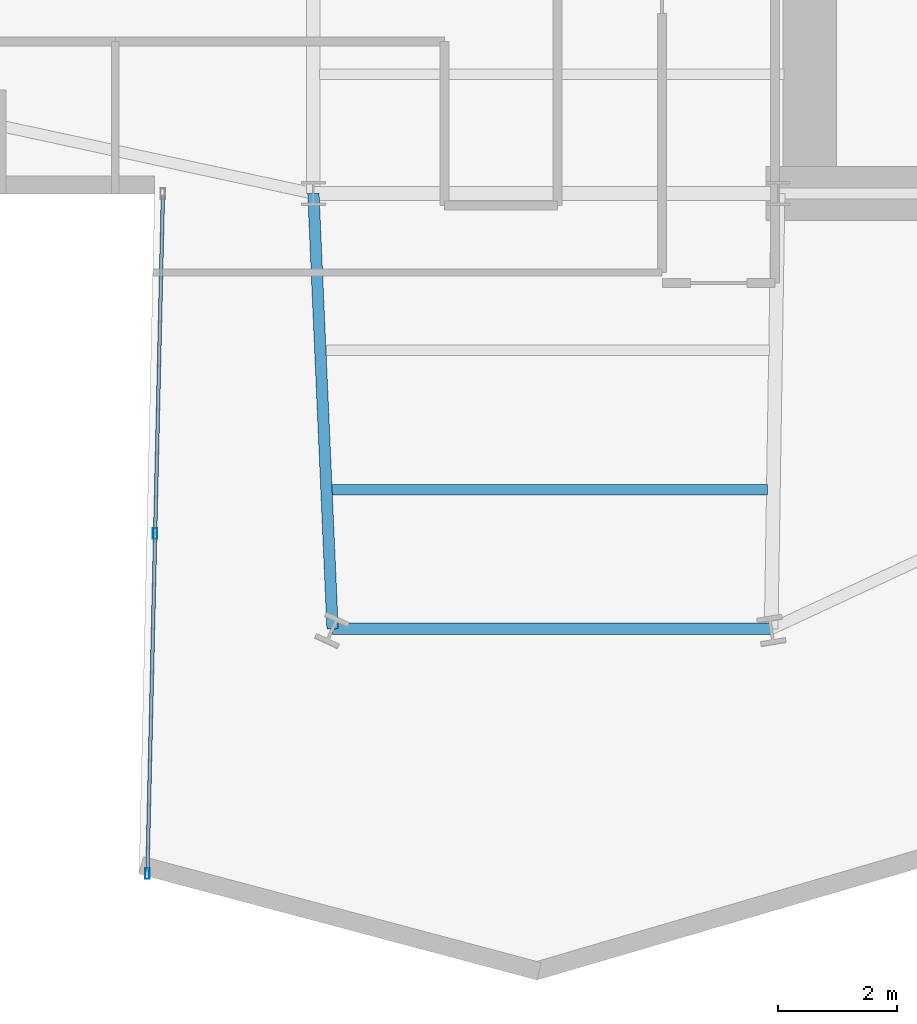
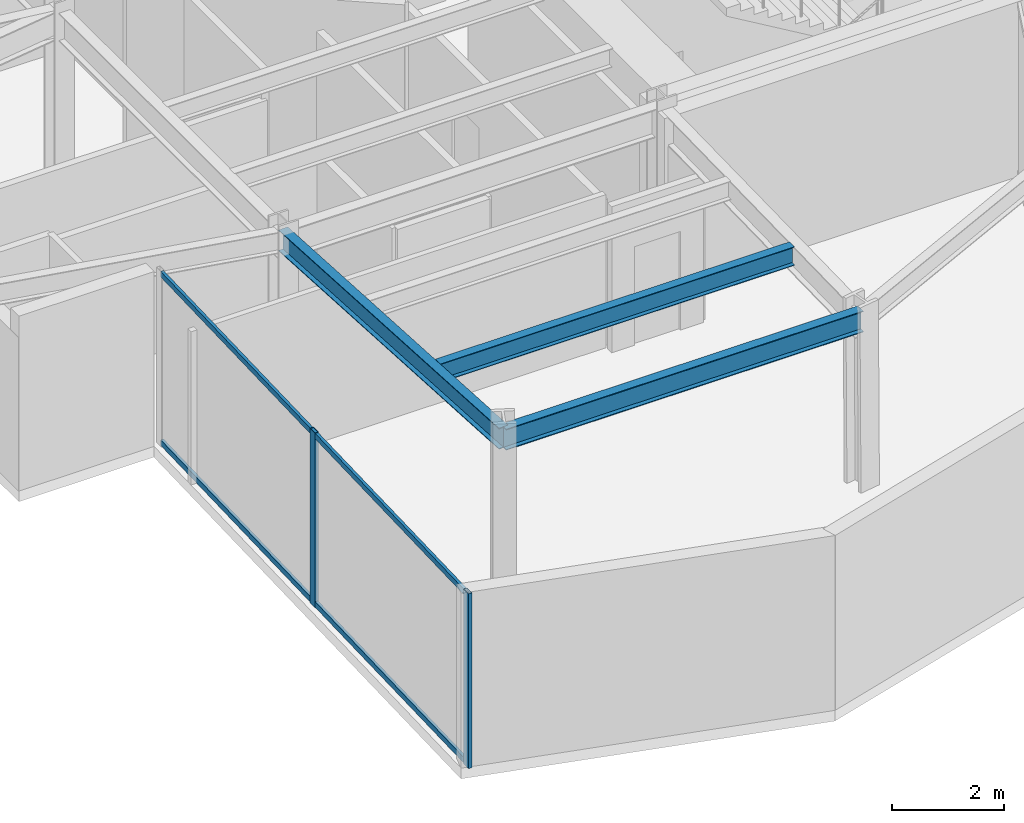
# One storey, part 4 of 27: 4 members, 3 beams, 1 element without a shape of its own.
"""IFC4 building model written with IfcOpenShell, lengths in metres."""

from ifc_helpers import new_model, si_unit, direction, frame, origin, origin_2d, place, context, subcontext, project, spatial, hollow_rectangle, i_section, extrude, material, layer, layer_set, material_profile, profile_set, type_object, element, aggregate, save


model = new_model("IFC4")

# Units and contexts
model_context = context("Model", 3, precision=1e-05, world=origin(), true_north=direction((0.0, 1.0)))
body_context = subcontext(model_context, "Body", "Model", "MODEL_VIEW")
ifc_project = project(units=[si_unit("LENGTHUNIT", "METRE"), si_unit("AREAUNIT", "SQUARE_METRE"), si_unit("VOLUMEUNIT", "CUBIC_METRE"), si_unit("PLANEANGLEUNIT", "RADIAN"), si_unit("MASSUNIT", "GRAM", prefix="KILO")], contexts=[model_context])

# Site, building, storey
site_placement = place(None, origin())
site = spatial("IfcSite", under=ifc_project, at=site_placement, CompositionType="ELEMENT")
building_placement = place(site_placement, origin())
building = spatial("IfcBuilding", under=site, at=building_placement, Name="Veymaron Broadcast Tower", CompositionType="ELEMENT")
storey_placement = place(building_placement, frame((0.0, 0.0, 86.39990234375)))
storey = spatial("IfcBuildingStorey", under=building, at=storey_placement, Name="L19", CompositionType="ELEMENT", Elevation=86.39990234375)

# Beams
ifc_material_1 = material(Name="Structural steel ASTM A992 Gr 50", Category="steel")
ifc_material_profile_1 = material_profile(ifc_material_1, i_section(OverallWidth=0.177978515625, OverallDepth=0.406982421875, WebThickness=0.0078125, FlangeThickness=0.0126953125, at=origin_2d()), Name="W410X60")
ifc_profile_set_1 = profile_set([ifc_material_profile_1], Name="Structural steel ASTM A992 Gr 50")
beam_type_1 = type_object("IfcBeamType", Name="BM-JS1", PredefinedType="JOIST", material=ifc_profile_set_1)
beam_1_placement = place(storey_placement, frame((31.51904296875, 11.029296875, 3.606689453125), z_axis=(1.0, 0.0, 0.0), x_axis=(0.0, 1.0, 0.0)))
element("IfcBeam", 1, at=beam_1_placement, inside=storey, type_object=beam_type_1, Name="L19 Arm-C secondary joist 2", PredefinedType="JOIST", context=body_context, shape_type="SweptSolid", body=[
    extrude(i_section(OverallWidth=0.177978515625, OverallDepth=0.406982421875, WebThickness=0.0078125, FlangeThickness=0.0126953125, at=origin_2d()), origin(), (0.0, 0.0, 1.0), 7.302734375),
])
ifc_material_profile_2 = material_profile(ifc_material_1, i_section(OverallWidth=0.19091796875, OverallDepth=0.4599609375, WebThickness=0.010009765625, FlangeThickness=0.01611328125, at=origin_2d()), Name="W460X82")
ifc_profile_set_2 = profile_set([ifc_material_profile_2], Name="Structural steel ASTM A992 Gr 50")
beam_type_2 = type_object("IfcBeamType", Name="BM-SP1", PredefinedType="SPANDREL", material=ifc_profile_set_2)
beam_2_placement = place(storey_placement, frame((31.199951171875, 16.0, 3.580078125), z_axis=(0.044009152951, -0.999031127872, 0.0), x_axis=(0.999031127872, 0.044009152951, 0.0)))
element("IfcBeam", 2, at=beam_2_placement, inside=storey, type_object=beam_type_2, Name="L19 primary structural floor girder", PredefinedType="SPANDREL", context=body_context, shape_type="SweptSolid", body=[
    extrude(i_section(OverallWidth=0.19091796875, OverallDepth=0.4599609375, WebThickness=0.010009765625, FlangeThickness=0.01611328125, at=origin_2d()), origin(), (0.0, 0.0, 1.0), 7.317138671875),
])
beam_3_placement = place(storey_placement, frame((31.52197265625, 8.68994140625, 3.580078125), z_axis=(1.0, 0.0, 0.0), x_axis=(0.0, 1.0, 0.0)))
element("IfcBeam", 3, at=beam_3_placement, inside=storey, type_object=beam_type_2, Name="L19 primary structural floor girder", PredefinedType="SPANDREL", context=body_context, shape_type="SweptSolid", body=[
    extrude(i_section(OverallWidth=0.19091796875, OverallDepth=0.4599609375, WebThickness=0.010009765625, FlangeThickness=0.01611328125, at=origin_2d()), origin(), (0.0, 0.0, 1.0), 7.363037109375),
])

# Curtain wall, members
ifc_material_2 = material(Name="Anodised aluminium AA 6063-T6 and laminated low-E dark glass", Category="aluminium")
ifc_layer = layer(ifc_material_2, 0.179931640625)
ifc_layer_set = layer_set([ifc_layer], Name="Anodised aluminium AA 6063-T6 and laminated low-E dark glass")
curtain_wall_type = type_object("IfcCurtainWallType", Name="CW-SYS-02", PredefinedType="NOTDEFINED", material=ifc_layer_set)
curtain_wall_placement = place(storey_placement, origin())
curtain_wall = element("IfcCurtainWall", 4, at=curtain_wall_placement, inside=storey, type_object=curtain_wall_type, Name="L19 dark-glass curtain wall CW-L19-E17-1", PredefinedType="NOTDEFINED")
ifc_material_3 = material(Name="Anodised aluminium AA 6063-T6", Category="aluminium")
ifc_material_profile_3 = material_profile(ifc_material_3, hollow_rectangle(XDim=0.074951171875, YDim=0.179931640625, WallThickness=0.0048828125, at=origin_2d()), Name="AL180X75X5")
ifc_profile_set_3 = profile_set([ifc_material_profile_3], Name="Anodised aluminium AA 6063-T6")
member_type_1 = type_object("IfcMemberType", Name="CW-MUL-02", PredefinedType="MULLION", material=ifc_profile_set_3)
member_1_placement = place(storey_placement, frame((28.543701171875, 10.289794921875, 0.0), z_axis=(0.0, 0.0, 1.0), x_axis=(1.0, 0.0, 0.0)))
member_1 = element("IfcMember", 5, at=member_1_placement, type_object=member_type_1, Name="CW-L19-E17-1 mullion 1", PredefinedType="MULLION", context=body_context, shape_type="SweptSolid", body=[
    extrude(hollow_rectangle(XDim=0.074951171875, YDim=0.179931640625, WallThickness=0.0048828125, at=origin_2d()), origin(), (0.0, 0.0, 1.0), 3.81005859375),
])
member_2_placement = place(storey_placement, frame((28.413818359375, 4.582763671875, 0.0), z_axis=(0.0, 0.0, 1.0), x_axis=(1.0, 0.0, 0.0)))
member_2 = element("IfcMember", 6, at=member_2_placement, type_object=member_type_1, Name="CW-L19-E17-1 mullion 2", PredefinedType="MULLION", context=body_context, shape_type="SweptSolid", body=[
    extrude(hollow_rectangle(XDim=0.074951171875, YDim=0.179931640625, WallThickness=0.0048828125, at=origin_2d()), origin(), (0.0, 0.0, 1.0), 3.81005859375),
])
ifc_material_profile_4 = material_profile(ifc_material_3, hollow_rectangle(XDim=0.06005859375, YDim=0.1201171875, WallThickness=0.00390625, at=origin_2d()), Name="AL120X60X4")
ifc_profile_set_4 = profile_set([ifc_material_profile_4], Name="Anodised aluminium AA 6063-T6")
member_type_2 = type_object("IfcMemberType", Name="CW-TRN-02", PredefinedType="USERDEFINED", material=ifc_profile_set_4)
member_3_placement = place(storey_placement, frame((28.672607421875, 15.94677734375, 0.070068359375), z_axis=(-0.022781190747, -0.999740474997, 0.0), x_axis=(0.999740474997, -0.022781190747, 0.0)))
member_3 = element("IfcMember", 7, at=member_3_placement, type_object=member_type_2, Name="CW-L19-E17-1 transom B", ObjectType="TRANSOM", PredefinedType="USERDEFINED", context=body_context, shape_type="SweptSolid", body=[
    extrude(hollow_rectangle(XDim=0.06005859375, YDim=0.1201171875, WallThickness=0.00390625, at=origin_2d()), origin(), (0.0, 0.0, 1.0), 11.31689453125),
])
member_4_placement = place(storey_placement, frame((28.672607421875, 15.94677734375, 3.739990234375), z_axis=(-0.022781190747, -0.999740474997, 0.0), x_axis=(0.999740474997, -0.022781190747, 0.0)))
member_4 = element("IfcMember", 8, at=member_4_placement, type_object=member_type_2, Name="CW-L19-E17-1 transom T", ObjectType="TRANSOM", PredefinedType="USERDEFINED", context=body_context, shape_type="SweptSolid", body=[
    extrude(hollow_rectangle(XDim=0.06005859375, YDim=0.1201171875, WallThickness=0.00390625, at=origin_2d()), origin(), (0.0, 0.0, 1.0), 11.31689453125),
])
aggregate(curtain_wall, [member_1, member_2, member_3, member_4])

save(model, "model.ifc")
